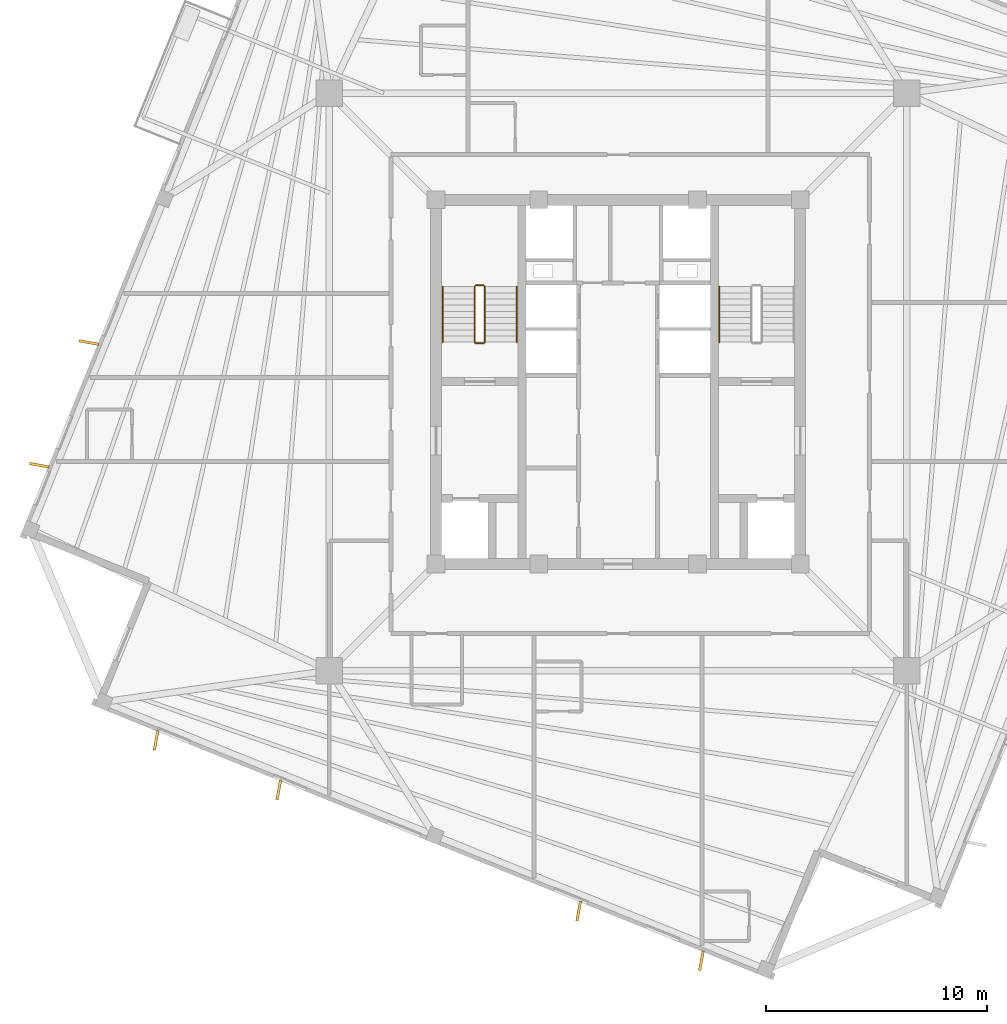
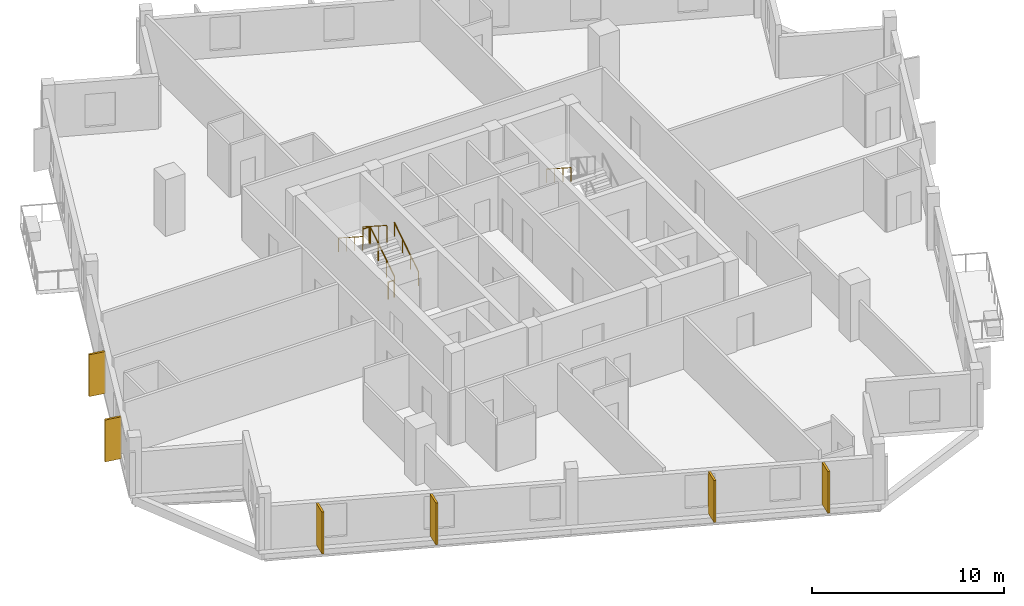
# One storey, part 7 of 9: 7 railings, 6 coverings.
"""IFC4 building model written with IfcOpenShell, lengths in metres."""

from ifc_helpers import new_model, si_unit, direction, frame, origin, origin_2d, place, context, subcontext, project, spatial, rectangle, circle, extrude, source, transform, mapped, material, layer, layer_set, type_object, element, save


model = new_model("IFC4")

# Units and contexts
model_context = context("Model", 3, precision=1e-05, world=origin(), true_north=direction((0.0, 1.0)))
body_context = subcontext(model_context, "Body", "Model", "MODEL_VIEW")
ifc_project = project(units=[si_unit("LENGTHUNIT", "METRE"), si_unit("AREAUNIT", "SQUARE_METRE"), si_unit("VOLUMEUNIT", "CUBIC_METRE"), si_unit("PLANEANGLEUNIT", "RADIAN"), si_unit("MASSUNIT", "GRAM", prefix="KILO"), si_unit("THERMODYNAMICTEMPERATUREUNIT", "KELVIN")], contexts=[model_context])

# Site, building, storey
site_placement = place(None, origin())
site = spatial("IfcSite", under=ifc_project, at=site_placement, CompositionType="ELEMENT")
building_placement = place(site_placement, origin())
building = spatial("IfcBuilding", under=site, at=building_placement, Name="Kosmvard Interchange Tower", CompositionType="ELEMENT")
storey_placement = place(building_placement, frame((0.0, 0.0, 272.39990234375)))
storey = spatial("IfcBuildingStorey", under=building, at=storey_placement, Name="L66", CompositionType="ELEMENT", Elevation=272.39990234375)

# Coverings
ifc_material_1 = material(Name="Architectural anodised aluminium", Category="aluminium")
ifc_layer = layer(ifc_material_1, 0.1201171875, Name="Architectural anodised aluminium")
ifc_layer_set = layer_set([ifc_layer], Name="Architectural anodised aluminium")
covering_type = type_object("IfcCoveringType", Name="Rotating Vertical Sun-Breaker Fin 900x120 Aluminium", PredefinedType="CLADDING", material=ifc_layer_set)
shared_shape_1 = source(origin(), body_context, "Body", "SweptSolid", [
    extrude(rectangle(XDim=0.89990234375, YDim=0.1201171875, at=origin_2d()), origin(), (0.0, 0.0, 1.0), 2.669921875),
])
for number, where, z_axis, x_axis, name in (
    (1, (-23.977783203125, 1.783935546875, 0.0400390625), (0.0, 0.0, 1.0), (-0.983223086489, 0.182407133071, 0.0), "L66 Rotating Vertical Sun-Breaker Fin 09"),
    (2, (-26.223876953125, -3.775390625, 0.0400390625), (0.0, 0.0, 1.0), (-0.983223086489, 0.182407133071, 0.0), "L66 Rotating Vertical Sun-Breaker Fin 10"),
    (3, (-20.932373046875, -16.2412109375, 0.0400390625), (0.0, 0.0, 1.0), (-0.182407133071, -0.983223086489, 0.0), "L66 Rotating Vertical Sun-Breaker Fin 11"),
    (4, (-15.373046875, -18.4873046875, 0.0400390625), (0.0, 0.0, 1.0), (-0.182407133071, -0.983223086489, 0.0), "L66 Rotating Vertical Sun-Breaker Fin 12"),
    (5, (-1.783935546875, -23.977783203125, 0.0400390625), (0.0, 0.0, 1.0), (-0.182407133071, -0.983223086489, 0.0), "L66 Rotating Vertical Sun-Breaker Fin 13"),
    (6, (3.775390625, -26.223876953125, 0.0400390625), (0.0, 0.0, 1.0), (-0.182407133071, -0.983223086489, 0.0), "L66 Rotating Vertical Sun-Breaker Fin 14"),
):
    element("IfcCovering", number, at=place(storey_placement, frame(where, z_axis=z_axis, x_axis=x_axis)), inside=storey, type_object=covering_type, Name=name, PredefinedType="CLADDING", context=body_context, shape_type="MappedRepresentation", body=[
        mapped(shared_shape_1, transform((0.0, 0.0, 0.0), scale=1.0)),
    ])

# Railings
ifc_material_2 = material(Name="Steel S355", Category="steel")
railing_type_1 = type_object("IfcRailingType", Name="Stair & Terrace Safety Guardrail 1100 Steel", PredefinedType="GUARDRAIL", material=ifc_material_2)
shared_shape_2 = source(origin(), body_context, "Body", "SweptSolid", [
    extrude(circle(Radius=0.02392578125, at=origin_2d()), frame((0.0, 0.0, 1.076171875), z_axis=(-1.0, 0.0, 0.0), x_axis=(0.0, -1.0, 0.0)), (0.0, 0.0, 1.0), 0.35986328125),
    extrude(circle(Radius=0.02099609375, at=origin_2d()), origin(), (0.0, 0.0, 1.0), 1.052001953125),
    extrude(circle(Radius=0.02099609375, at=origin_2d()), frame((-0.35986328125, 0.0, 0.0)), (0.0, 0.0, 1.0), 1.052001953125),
])
for number, where, name in (
    (7, (-6.090087890625, 4.3701171875, 1.800048828125), "L66 ST-1 stair guard 2"),
    (8, (-6.090087890625, 1.75, 0.0), "L66 ST-1 stair guard 4"),
):
    element("IfcRailing", number, at=place(storey_placement, frame(where)), inside=storey, type_object=railing_type_1, Name=name, PredefinedType="GUARDRAIL", context=body_context, shape_type="MappedRepresentation", body=[
        mapped(shared_shape_2, transform((0.0, 0.0, 0.0), scale=1.0)),
    ])
shared_shape_3 = source(origin(), body_context, "Body", "SweptSolid", [
    extrude(circle(Radius=0.02392578125, at=origin_2d()), frame((0.0, 0.0, 1.076171875), z_axis=(0.0, -0.841162588446, 0.540782303519), x_axis=(1.0, 0.0, 0.0)), (0.0, 0.0, 1.0), 2.995849609375),
    extrude(circle(Radius=0.02099609375, at=origin_2d()), origin(), (0.0, 0.0, 1.0), 1.052001953125),
    extrude(circle(Radius=0.02099609375, at=origin_2d()), frame((0.0, -0.840087890625, 0.5400390625)), (0.0, 0.0, 1.0), 1.052001953125),
    extrude(circle(Radius=0.02099609375, at=origin_2d()), frame((0.0, -1.679931640625, 1.080078125)), (0.0, 0.0, 1.0), 1.052001953125),
    extrude(circle(Radius=0.02099609375, at=origin_2d()), frame((0.0, -2.52001953125, 1.6201171875)), (0.0, 0.0, 1.0), 1.052001953125),
])
railing_1_placement = place(storey_placement, frame((-6.5, 4.320068359375, 1.97998046875)))
element("IfcRailing", 9, at=railing_1_placement, inside=storey, type_object=railing_type_1, Name="L66 ST-1 stair guard 3", PredefinedType="GUARDRAIL", context=body_context, shape_type="MappedRepresentation", body=[
    mapped(shared_shape_3, transform((0.0, 0.0, 0.0), scale=1.0)),
])
railing_type_2 = type_object("IfcRailingType", Name="Wall-Mounted Stair Handrail 900 Steel", PredefinedType="HANDRAIL", material=ifc_material_2)
shared_shape_4 = source(origin(), body_context, "Body", "SweptSolid", [
    extrude(circle(Radius=0.02392578125, at=origin_2d()), frame((0.0, 0.0, 0.8759765625), z_axis=(0.0, -0.841162588446, 0.540782303519), x_axis=(1.0, 0.0, 0.0)), (0.0, 0.0, 1.0), 2.995849609375),
    extrude(circle(Radius=0.02099609375, at=origin_2d()), origin(), (0.0, 0.0, 1.0), 0.851806640625),
    extrude(circle(Radius=0.02099609375, at=origin_2d()), frame((0.0, -0.840087890625, 0.5400390625)), (0.0, 0.0, 1.0), 0.851806640625),
    extrude(circle(Radius=0.02099609375, at=origin_2d()), frame((0.0, -1.679931640625, 1.080078125)), (0.0, 0.0, 1.0), 0.851806640625),
    extrude(circle(Radius=0.02099609375, at=origin_2d()), frame((0.0, -2.52001953125, 1.6201171875)), (0.0, 0.0, 1.0), 0.851806640625),
])
for number, where, name in (
    (10, (-7.949951171875, 4.320068359375, 1.97998046875), "L66 ST-1 stair handrail 2"),
    (11, (4.590087890625, 4.320068359375, 1.97998046875), "L66 ST-2 stair handrail 2"),
):
    element("IfcRailing", number, at=place(storey_placement, frame(where)), inside=storey, type_object=railing_type_2, Name=name, PredefinedType="HANDRAIL", context=body_context, shape_type="MappedRepresentation", body=[
        mapped(shared_shape_4, transform((0.0, 0.0, 0.0), scale=1.0)),
    ])
shared_shape_5 = source(origin(), body_context, "Body", "SweptSolid", [
    extrude(circle(Radius=0.02392578125, at=origin_2d()), frame((0.0, 0.0, 1.076171875), z_axis=(0.0, 0.841199657755, 0.540724639528), x_axis=(-1.0, 0.0, 0.0)), (0.0, 0.0, 1.0), 2.995849609375),
    extrude(circle(Radius=0.02099609375, at=origin_2d()), origin(), (0.0, 0.0, 1.0), 1.052001953125),
    extrude(circle(Radius=0.02099609375, at=origin_2d()), frame((0.0, 0.840087890625, 0.5400390625)), (0.0, 0.0, 1.0), 1.052001953125),
    extrude(circle(Radius=0.02099609375, at=origin_2d()), frame((0.0, 1.679931640625, 1.079833984375)), (0.0, 0.0, 1.0), 1.052001953125),
    extrude(circle(Radius=0.02099609375, at=origin_2d()), frame((0.0, 2.52001953125, 1.619873046875)), (0.0, 0.0, 1.0), 1.052001953125),
])
railing_2_placement = place(storey_placement, frame((-6.0400390625, 1.800048828125, 0.18017578125)))
element("IfcRailing", 12, at=railing_2_placement, inside=storey, type_object=railing_type_1, Name="L66 ST-1 stair guard 1", PredefinedType="GUARDRAIL", context=body_context, shape_type="MappedRepresentation", body=[
    mapped(shared_shape_5, transform((0.0, 0.0, 0.0), scale=1.0)),
])
shared_shape_6 = source(origin(), body_context, "Body", "SweptSolid", [
    extrude(circle(Radius=0.02392578125, at=origin_2d()), frame((0.0, 0.0, 0.8759765625), z_axis=(0.0, 0.841199657755, 0.540724639528), x_axis=(-1.0, 0.0, 0.0)), (0.0, 0.0, 1.0), 2.995849609375),
    extrude(circle(Radius=0.02099609375, at=origin_2d()), origin(), (0.0, 0.0, 1.0), 0.851806640625),
    extrude(circle(Radius=0.02099609375, at=origin_2d()), frame((0.0, 0.840087890625, 0.5400390625)), (0.0, 0.0, 1.0), 0.851806640625),
    extrude(circle(Radius=0.02099609375, at=origin_2d()), frame((0.0, 1.679931640625, 1.079833984375)), (0.0, 0.0, 1.0), 0.851806640625),
    extrude(circle(Radius=0.02099609375, at=origin_2d()), frame((0.0, 2.52001953125, 1.619873046875)), (0.0, 0.0, 1.0), 0.851806640625),
])
railing_3_placement = place(storey_placement, frame((-4.590087890625, 1.800048828125, 0.18017578125)))
element("IfcRailing", 13, at=railing_3_placement, inside=storey, type_object=railing_type_2, Name="L66 ST-1 stair handrail 1", PredefinedType="HANDRAIL", context=body_context, shape_type="MappedRepresentation", body=[
    mapped(shared_shape_6, transform((0.0, 0.0, 0.0), scale=1.0)),
])

save(model, "model.ifc")
